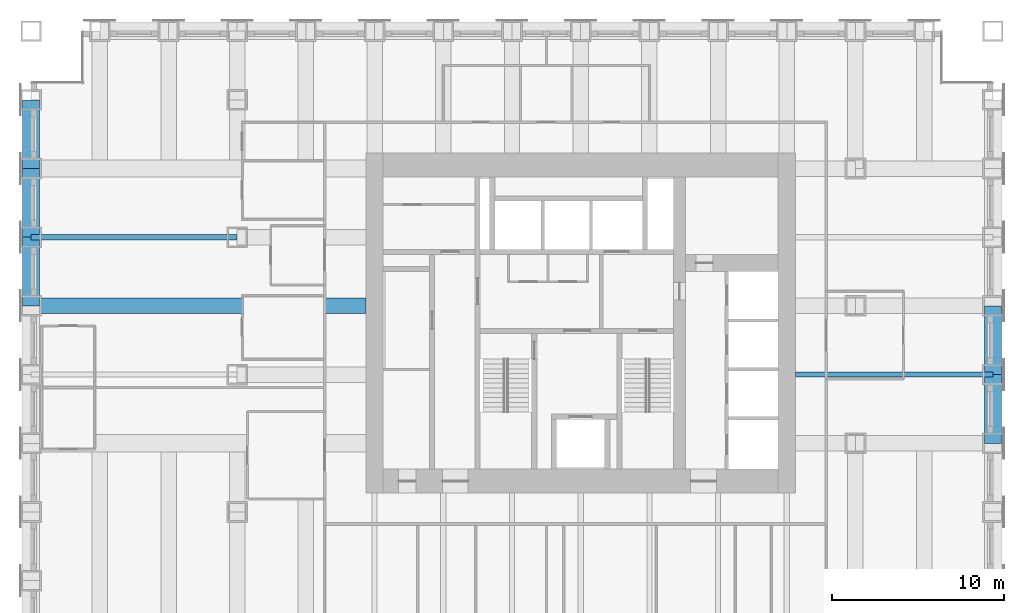
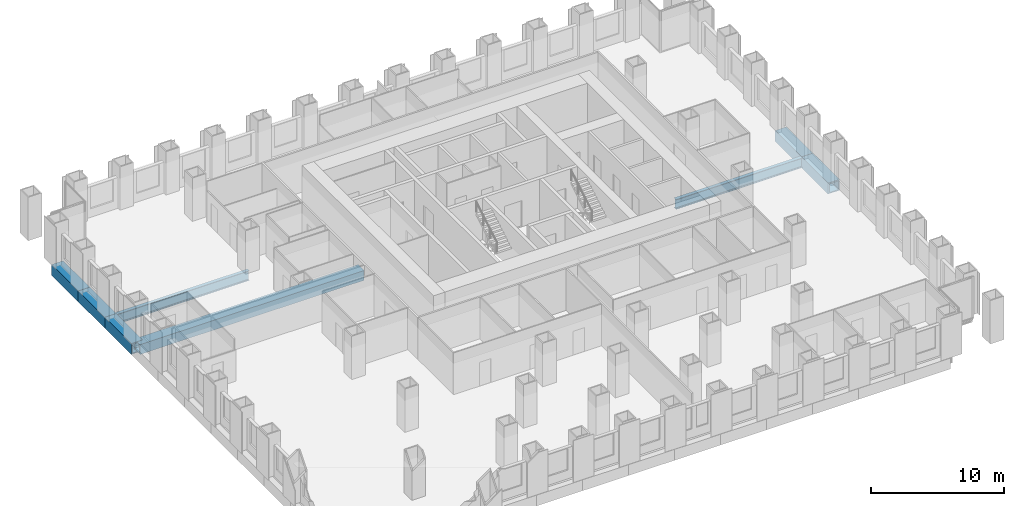
# One storey, part 5 of 15: 8 beams.
"""IFC4 building model written with IfcOpenShell, lengths in metres."""

from ifc_helpers import new_model, si_unit, direction, frame, origin, origin_2d, place, context, subcontext, project, spatial, hollow_rectangle, i_section, extrude, material, material_profile, profile_set, type_object, element, save


model = new_model("IFC4")

# Units and contexts
model_context = context("Model", 3, precision=1e-05, world=origin(), true_north=direction((0.0, 1.0)))
body_context = subcontext(model_context, "Body", "Model", "MODEL_VIEW")
ifc_project = project(units=[si_unit("LENGTHUNIT", "METRE"), si_unit("AREAUNIT", "SQUARE_METRE"), si_unit("VOLUMEUNIT", "CUBIC_METRE"), si_unit("PLANEANGLEUNIT", "RADIAN"), si_unit("MASSUNIT", "GRAM", prefix="KILO")], contexts=[model_context])

# Site, building, storey
site_placement = place(None, origin())
site = spatial("IfcSite", under=ifc_project, at=site_placement, CompositionType="ELEMENT")
building_placement = place(site_placement, origin())
building = spatial("IfcBuilding", under=site, at=building_placement, Name="Rimbunsela Tower", CompositionType="ELEMENT")
storey_placement = place(building_placement, frame((0.0, 0.0, 31.0)))
storey = spatial("IfcBuildingStorey", under=building, at=storey_placement, Name="L07", CompositionType="ELEMENT", Elevation=31.0)

# Beams
ifc_material_1 = material(Name="Steel BJ 55 (fy 410 MPa)", Category="steel")
ifc_material_profile_1 = material_profile(ifc_material_1, hollow_rectangle(XDim=1.0, YDim=1.0, WallThickness=0.10009765625, at=origin_2d()), Name="BOX 1000x1000x100")
ifc_profile_set_1 = profile_set([ifc_material_profile_1], Name="Steel BJ 55 (fy 410 MPa)")
beam_type_1 = type_object("IfcBeamType", Name="Beam BOX 1000x1000x100", PredefinedType="BEAM", material=ifc_profile_set_1)
for number, where, z_axis, x_axis, name in (
    (1, (-2.0, 28.0, -0.64990234375), (0.0, 1.0, 0.0), (-1.0, 0.0, 0.0), "Beam B3 L07"),
    (2, (-2.0, 32.0, -0.64990234375), (0.0, 1.0, 0.0), (-1.0, 0.0, 0.0), "Beam B3 L07"),
    (3, (-2.0, 36.0, -0.64990234375), (0.0, 1.0, 0.0), (-1.0, 0.0, 0.0), "Beam B3 L07"),
    (4, (54.0, 20.0, -0.64990234375), (0.0, 1.0, 0.0), (-1.0, 0.0, 0.0), "Beam B3 L07"),
    (5, (54.0, 24.0, -0.64990234375), (0.0, 1.0, 0.0), (-1.0, 0.0, 0.0), "Beam B3 L07"),
):
    element("IfcBeam", number, at=place(storey_placement, frame(where, z_axis=z_axis, x_axis=x_axis)), inside=storey, type_object=beam_type_1, Name=name, PredefinedType="BEAM", context=body_context, shape_type="SweptSolid", body=[
        extrude(hollow_rectangle(XDim=1.0, YDim=1.0, WallThickness=0.10009765625, at=origin_2d()), origin(), (0.0, 0.0, 1.0), 4.0),
    ])
ifc_material_2 = material(Name="Steel BJ 55 (fy 410 MPa)", Category="steel")
ifc_material_profile_2 = material_profile(ifc_material_2, hollow_rectangle(XDim=0.89990234375, YDim=0.89990234375, WallThickness=0.06005859375, at=origin_2d()), Name="BOX 900x900x60")
ifc_profile_set_2 = profile_set([ifc_material_profile_2], Name="Steel BJ 55 (fy 410 MPa)")
beam_type_2 = type_object("IfcBeamType", Name="Beam BOX 900x900x60", PredefinedType="BEAM", material=ifc_profile_set_2)
beam_1_placement = place(storey_placement, frame((-2.0, 28.0, -0.60009765625), z_axis=(1.0, 0.0, 0.0), x_axis=(0.0, 1.0, 0.0)))
element("IfcBeam", 6, at=beam_1_placement, inside=storey, type_object=beam_type_2, Name="Beam B1 L07", PredefinedType="BEAM", context=body_context, shape_type="SweptSolid", body=[
    extrude(hollow_rectangle(XDim=0.89990234375, YDim=0.89990234375, WallThickness=0.06005859375, at=origin_2d()), origin(), (0.0, 0.0, 1.0), 19.5),
])
ifc_material_3 = material(Name="Steel BJ 55 (fy 410 MPa)", Category="steel")
ifc_material_profile_3 = material_profile(ifc_material_3, i_section(OverallWidth=0.300048828125, OverallDepth=0.89990234375, WebThickness=0.01611328125, FlangeThickness=0.028076171875, FilletRadius=0.028076171875, at=origin_2d()), Name="H 900x300x16x28")
ifc_profile_set_3 = profile_set([ifc_material_profile_3], Name="Steel BJ 55 (fy 410 MPa)")
beam_type_3 = type_object("IfcBeamType", Name="Beam H 900x300x16x28", PredefinedType="BEAM", material=ifc_profile_set_3)
beam_2_placement = place(storey_placement, frame((-2.0, 32.0, -0.60009765625), z_axis=(1.0, 0.0, 0.0), x_axis=(0.0, 1.0, 0.0)))
element("IfcBeam", 7, at=beam_2_placement, inside=storey, type_object=beam_type_3, Name="Beam B2 L07", PredefinedType="BEAM", context=body_context, shape_type="SweptSolid", body=[
    extrude(i_section(OverallWidth=0.300048828125, OverallDepth=0.89990234375, WebThickness=0.01611328125, FlangeThickness=0.028076171875, FilletRadius=0.028076171875, at=origin_2d()), origin(), (0.0, 0.0, 1.0), 12.0),
])
beam_3_placement = place(storey_placement, frame((42.5, 24.0, -0.60009765625), z_axis=(1.0, 0.0, 0.0), x_axis=(0.0, 1.0, 0.0)))
element("IfcBeam", 8, at=beam_3_placement, inside=storey, type_object=beam_type_3, Name="Beam B2 L07", PredefinedType="BEAM", context=body_context, shape_type="SweptSolid", body=[
    extrude(i_section(OverallWidth=0.300048828125, OverallDepth=0.89990234375, WebThickness=0.01611328125, FlangeThickness=0.028076171875, FilletRadius=0.028076171875, at=origin_2d()), origin(), (0.0, 0.0, 1.0), 11.5),
])

save(model, "model.ifc")
